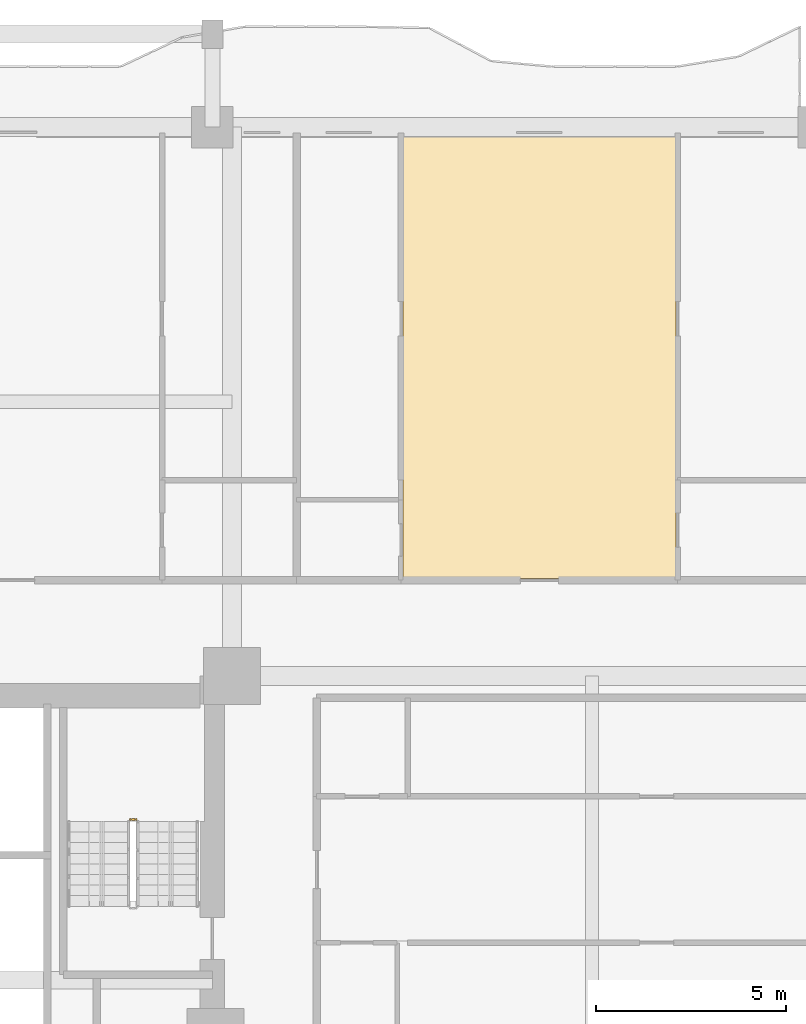
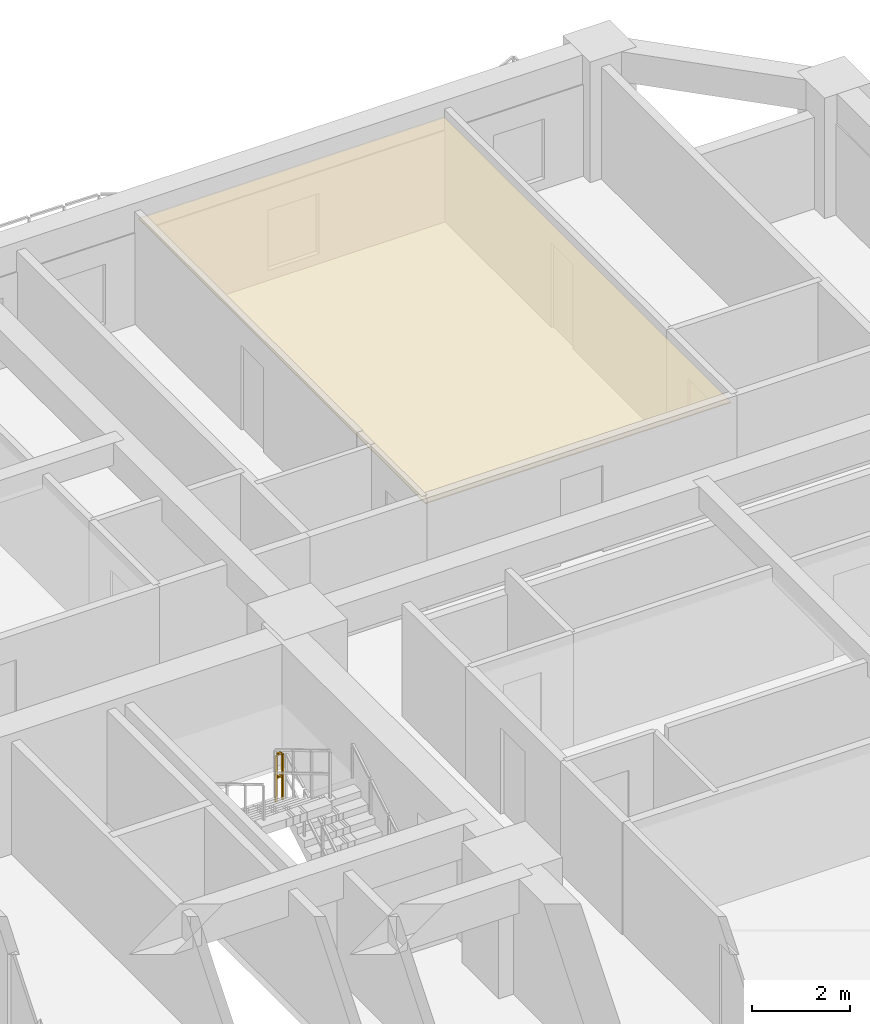
# One storey, part 15 of 15: 1 covering, 1 railing.
"""IFC4 building model written with IfcOpenShell, lengths in metres."""

from ifc_helpers import new_model, si_unit, direction, frame, origin, origin_2d, place, context, subcontext, project, spatial, polyline, rectangle, outline, extrude, material, layer, layer_set, type_object, element, save


model = new_model("IFC4")

# Units and contexts
model_context = context("Model", 3, precision=1e-05, world=origin(), true_north=direction((0.0, 1.0)))
body_context = subcontext(model_context, "Body", "Model", "MODEL_VIEW")
ifc_project = project(units=[si_unit("LENGTHUNIT", "METRE"), si_unit("AREAUNIT", "SQUARE_METRE"), si_unit("VOLUMEUNIT", "CUBIC_METRE"), si_unit("PLANEANGLEUNIT", "RADIAN"), si_unit("MASSUNIT", "GRAM", prefix="KILO")], contexts=[model_context])

# Site, building, storey
site_placement = place(None, origin())
site = spatial("IfcSite", under=ifc_project, at=site_placement, CompositionType="ELEMENT")
building_placement = place(site_placement, origin())
building = spatial("IfcBuilding", under=site, at=building_placement, Name="Saelheon Loggia Tower", CompositionType="ELEMENT")
storey_placement = place(building_placement, frame((0.0, 0.0, 46.39990234375)))
storey = spatial("IfcBuildingStorey", under=building, at=storey_placement, Name="L14", CompositionType="ELEMENT", Elevation=46.39990234375)

# Covering
ifc_material_1 = material(Name="Mineral-Fibre Acoustic Ceiling Board", Category="gypsum")
ifc_layer = layer(ifc_material_1, 0.02490234375)
ifc_layer_set = layer_set([ifc_layer], Name="Mineral-Fibre Acoustic Ceiling Board")
covering_type = type_object("IfcCoveringType", Name="Cov_Ceiling_Acoustic", PredefinedType="CEILING", material=ifc_layer_set)
covering_placement = place(storey_placement, frame((0.0, 0.0, 2.53515625)))
element("IfcCovering", 1, at=covering_placement, inside=storey, type_object=covering_type, Name="L14 Acoustic Suspended Ceiling", PredefinedType="CEILING", context=body_context, shape_type="SweptSolid", body=[
    extrude(outline(polyline([(49.523193359375, 39.10009765625), (56.721923828125, 39.10009765625), (56.721923828125, 50.800048828125), (49.523193359375, 50.800048828125), (49.523193359375, 39.10009765625)])), origin(), (0.0, 0.0, 1.0), 0.02490234375),
])

# Railing
ifc_material_2 = material(Name="Galvanised Steel S275 Stairwell Guardrail", Category="steel")
railing_type = type_object("IfcRailingType", Name="Guard_StairWell_RL_STG", PredefinedType="GUARDRAIL", material=ifc_material_2)
railing_placement = place(storey_placement, frame((42.489990234375, 32.739990234375, 1.5)))
element("IfcRailing", 2, at=railing_placement, inside=storey, type_object=railing_type, Name="L14 ST2 stair guard 2", PredefinedType="GUARDRAIL", context=body_context, shape_type="SweptSolid", body=[
    extrude(rectangle(XDim=0.048095703125, YDim=0.048095703125, at=origin_2d()), frame((-0.033203125, 0.0, 1.17578125), z_axis=(-1.0, 0.0, 0.0), x_axis=(0.0, -1.0, 0.0)), (0.0, 0.0, 1.0), 0.093505859375),
    extrude(rectangle(XDim=0.048095703125, YDim=0.048095703125, at=origin_2d()), frame((-0.033203125, 0.0, 0.60009765625), z_axis=(-1.0, 0.0, 0.0), x_axis=(0.0, -1.0, 0.0)), (0.0, 0.0, 1.0), 0.093505859375),
    extrude(rectangle(XDim=0.0419921875, YDim=0.0419921875, at=origin_2d()), origin(), (0.0, 0.0, 1.0), 1.14794921875),
    extrude(rectangle(XDim=0.0419921875, YDim=0.0419921875, at=origin_2d()), frame((-0.159912109375, 0.0, 0.0)), (0.0, 0.0, 1.0), 1.14794921875),
])

save(model, "model.ifc")
